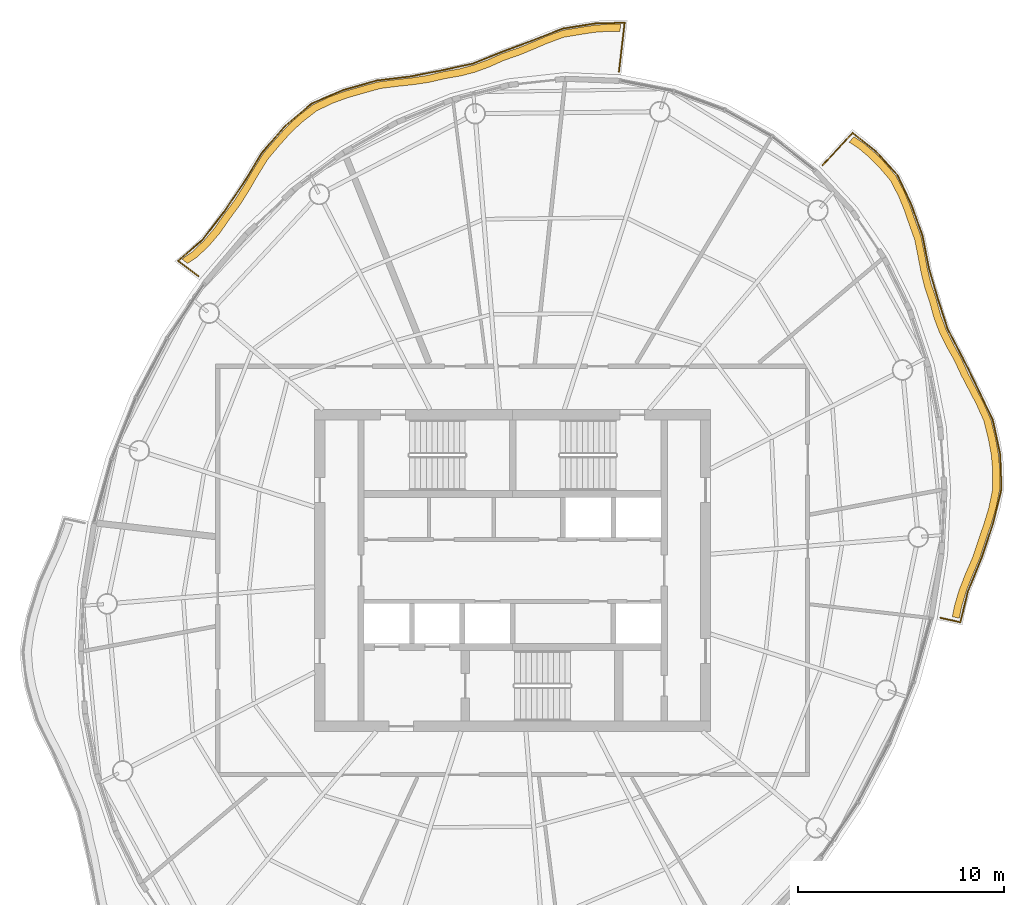
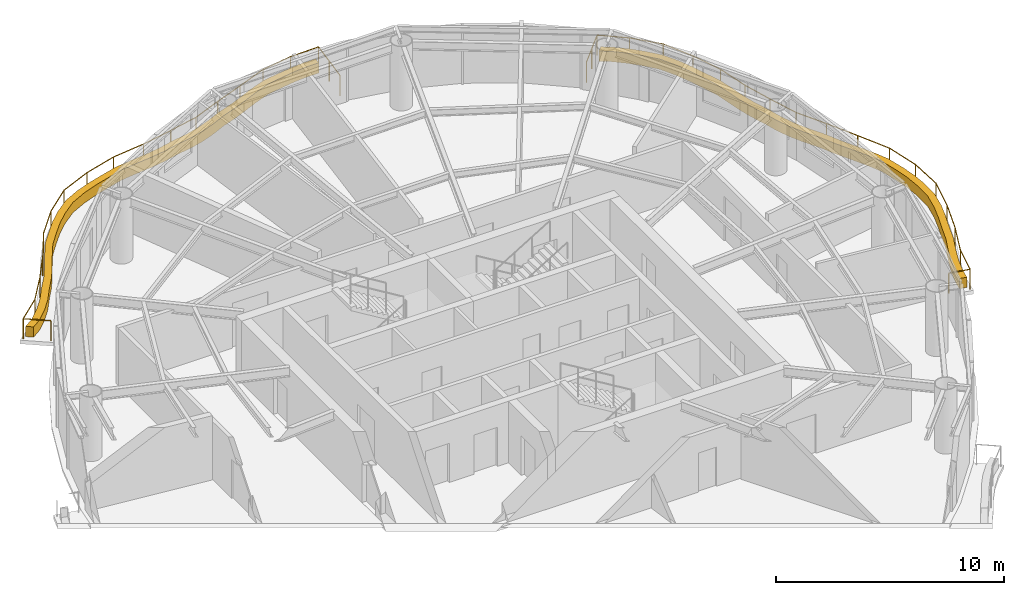
# One storey, part 13 of 13: 2 coverings, 2 railings.
"""IFC4 building model written with IfcOpenShell, lengths in metres."""

from ifc_helpers import new_model, si_unit, direction, frame, origin, origin_2d, place, context, subcontext, project, spatial, polyline, circle, outline, extrude, material, type_object, element, save


model = new_model("IFC4")

# Units and contexts
model_context = context("Model", 3, precision=1e-05, world=origin(), true_north=direction((0.0, 1.0)))
body_context = subcontext(model_context, "Body", "Model", "MODEL_VIEW")
ifc_project = project(units=[si_unit("LENGTHUNIT", "METRE"), si_unit("AREAUNIT", "SQUARE_METRE"), si_unit("VOLUMEUNIT", "CUBIC_METRE"), si_unit("PLANEANGLEUNIT", "RADIAN"), si_unit("MASSUNIT", "GRAM", prefix="KILO")], contexts=[model_context])

# Site, building, storey
site_placement = place(None, origin())
site = spatial("IfcSite", under=ifc_project, at=site_placement, CompositionType="ELEMENT")
building_placement = place(site_placement, origin())
building = spatial("IfcBuilding", under=site, at=building_placement, Name="Vermilion Reach Broadcast Tower", CompositionType="ELEMENT")
storey_placement = place(building_placement, frame((0.0, 0.0, 293.699951171875)))
storey = spatial("IfcBuildingStorey", under=building, at=storey_placement, Name="L73", CompositionType="ELEMENT", Elevation=293.699951171875)

# Coverings
ifc_material_1 = material(Name="Planting soil and greenery")
covering_type = type_object("IfcCoveringType", Name="Balcony PLANTER", PredefinedType="USERDEFINED", material=ifc_material_1)
placement = place(storey_placement, origin())
element("IfcCovering", 1, at=placement, inside=storey, type_object=covering_type, Name="PLANTER L73 group 1", ObjectType="PLANTER", PredefinedType="USERDEFINED", context=body_context, shape_type="SweptSolid", body=[
    extrude(outline(polyline([(-0.759033203125, 26.4873046875), (-1.332275390625, 26.4921875), (-2.01806640625, 26.442138671875), (-2.705810546875, 26.33837890625), (-3.54833984375, 26.199462890625), (-4.3720703125, 25.9033203125), (-5.042236328125, 25.615478515625), (-5.713623046875, 25.337890625), (-6.477783203125, 25.079833984375), (-7.224609375, 24.75146484375), (-7.8994140625, 24.50390625), (-8.591064453125, 24.321044921875), (-9.372802734375, 24.184326171875), (-10.170654296875, 23.99560546875), (-10.91796875, 23.883544921875), (-11.677734375, 23.802001953125), (-12.552490234375, 23.68603515625), (-13.418701171875, 23.44384765625), (-14.163818359375, 23.23046875), (-14.8818359375, 22.969482421875), (-15.696533203125, 22.57568359375), (-16.42578125, 22.01318359375), (-16.989990234375, 21.47900390625), (-17.5146484375, 20.89208984375), (-18.103515625, 20.197998046875), (-18.598388671875, 19.40673828125), (-19.01025390625, 18.6962890625), (-19.4423828125, 18.007080078125), (-19.9580078125, 17.312744140625), (-20.45361328125, 16.60009765625), (-20.97119140625, 15.990478515625), (-21.552001953125, 15.4345703125), (-22.041259765625, 15.100341796875), (-21.761962890625, 14.888916015625), (-21.284912109375, 15.208251953125), (-20.7041015625, 15.76416015625), (-20.1865234375, 16.373779296875), (-19.7041015625, 17.07177734375), (-19.202392578125, 17.75244140625), (-18.7705078125, 18.441650390625), (-18.3583984375, 19.152099609375), (-17.87890625, 19.929443359375), (-17.30615234375, 20.611083984375), (-16.78125, 21.197998046875), (-16.21728515625, 21.732177734375), (-15.50537109375, 22.282470703125), (-14.708984375, 22.6650390625), (-13.990966796875, 22.926025390625), (-13.245849609375, 23.139404296875), (-12.399658203125, 23.371337890625), (-11.545166015625, 23.47802734375), (-10.785400390625, 23.5595703125), (-10.038330078125, 23.671630859375), (-9.262451171875, 23.85205078125), (-8.50341796875, 23.982177734375), (-7.81201171875, 24.1650390625), (-7.13720703125, 24.41259765625), (-6.41455078125, 24.735595703125), (-5.675048828125, 24.989990234375), (-5.003662109375, 25.267578125), (-4.33349609375, 25.555419921875), (-3.535888671875, 25.849853515625), (-2.71923828125, 25.98876953125), (-2.031494140625, 26.09228515625), (-1.345703125, 26.142578125), (-0.79931640625, 26.1396484375), (-0.759033203125, 26.4873046875)])), origin(), (0.0, 0.0, 1.0), 0.550048828125),
])
element("IfcCovering", 2, at=placement, inside=storey, type_object=covering_type, Name="PLANTER L73 group 4", ObjectType="PLANTER", PredefinedType="USERDEFINED", context=body_context, shape_type="SweptSolid", body=[
    extrude(outline(polyline([(15.658447265625, -2.314697265625), (15.76904296875, -1.767822265625), (15.99853515625, -0.994873046875), (16.29638671875, -0.23291015625), (16.656005859375, 0.608642578125), (16.935302734375, 1.47216796875), (17.20361328125, 2.247314453125), (17.438232421875, 3.024169921875), (17.62255859375, 3.942626953125), (17.62548828125, 4.85546875), (17.560302734375, 5.6240234375), (17.4189453125, 6.38720703125), (17.201904296875, 7.279541015625), (16.8369140625, 8.112548828125), (16.472412109375, 8.80908203125), (16.1064453125, 9.50537109375), (15.74658203125, 10.290283203125), (15.339599609375, 11.019287109375), (15.01513671875, 11.685302734375), (14.755615234375, 12.372802734375), (14.540771484375, 13.15283203125), (14.287109375, 13.907470703125), (14.114501953125, 14.619140625), (13.976318359375, 15.347900390625), (13.800537109375, 16.198486328125), (13.509521484375, 16.996826171875), (13.2724609375, 17.6796875), (13.004150390625, 18.34130859375), (12.59228515625, 19.122802734375), (12.032958984375, 19.78173828125), (11.551025390625, 20.266845703125), (11.025390625, 20.71142578125), (10.549560546875, 21.0263671875), (10.311767578125, 20.76953125), (10.7685546875, 20.4736328125), (11.294189453125, 20.029052734375), (11.776123046875, 19.5439453125), (12.318359375, 18.905029296875), (12.71484375, 18.144287109375), (12.983154296875, 17.48291015625), (13.22021484375, 16.7998046875), (13.497802734375, 16.022705078125), (13.661865234375, 15.194091796875), (13.800048828125, 14.46533203125), (13.97265625, 13.75341796875), (14.216552734375, 13.0205078125), (14.42333984375, 12.2626953125), (14.68310546875, 11.5751953125), (15.00732421875, 10.9091796875), (15.407958984375, 10.201904296875), (15.762939453125, 9.438720703125), (16.12890625, 8.742431640625), (16.493408203125, 8.0458984375), (16.854736328125, 7.234130859375), (17.06982421875, 6.363037109375), (17.211181640625, 5.599853515625), (17.2763671875, 4.8310546875), (17.272705078125, 3.938720703125), (17.088623046875, 3.040771484375), (16.85400390625, 2.263916015625), (16.585693359375, 1.48876953125), (16.307861328125, 0.64501953125), (15.95068359375, -0.17724609375), (15.653076171875, -0.939208984375), (15.42333984375, -1.7119140625), (15.316650390625, -2.239990234375), (15.658447265625, -2.314697265625)])), origin(), (0.0, 0.0, 1.0), 0.550048828125),
])

# Railings
ifc_material_2 = material(Name="Stainless steel 316 balustrade", Category="steel")
railing_type = type_object("IfcRailingType", Name="Balcony guard 1100", PredefinedType="BALUSTRADE", material=ifc_material_2)
railing_1_placement = place(storey_placement, frame((-0.845947265625, 24.189453125, 0.0)))
element("IfcRailing", 3, at=railing_1_placement, inside=storey, type_object=railing_type, Name="Balcony guard L73 group 1", PredefinedType="BALUSTRADE", context=body_context, shape_type="SweptSolid", body=[
    extrude(circle(Radius=0.02490234375, at=origin_2d()), frame((0.0, 0.0, 1.0751953125), z_axis=(0.115707431832, 0.993283338337, 0.0), x_axis=(-0.993283338337, 0.115707431832, 0.0)), (0.0, 0.0, 1.0), 2.386474609375),
    extrude(circle(Radius=0.02490234375, at=origin_2d()), frame((0.276123046875, 2.370361328125, 1.0751953125), z_axis=(-0.999657300534, -0.026177881666, 0.0), x_axis=(0.026177881666, -0.999657300534, 0.0)), (0.0, 0.0, 1.0), 1.445556640625),
    extrude(circle(Radius=0.02490234375, at=origin_2d()), frame((-1.1689453125, 2.33251953125, 1.0751953125), z_axis=(-0.987778232825, -0.155865848593, 0.0), x_axis=(0.155865848593, -0.987778232825, 0.0)), (0.0, 0.0, 1.0), 1.555419921875),
    extrude(circle(Radius=0.02490234375, at=origin_2d()), frame((-2.705322265625, 2.090087890625, 1.0751953125), z_axis=(-0.931745405154, -0.363112241566, 0.0), x_axis=(0.363112241566, -0.931745405154, 0.0)), (0.0, 0.0, 1.0), 1.609619140625),
    extrude(circle(Radius=0.02490234375, at=origin_2d()), frame((-4.205078125, 1.505615234375, 1.0751953125), z_axis=(-0.937142184183, -0.348947741968, 0.0), x_axis=(0.348947741968, -0.937142184183, 0.0)), (0.0, 0.0, 1.0), 1.537841796875),
    extrude(circle(Radius=0.02490234375, at=origin_2d()), frame((-5.646240234375, 0.968994140625, 1.0751953125), z_axis=(-0.92712530699, -0.374751471163, 0.0), x_axis=(0.374751471163, -0.92712530699, 0.0)), (0.0, 0.0, 1.0), 1.53955078125),
    extrude(circle(Radius=0.02490234375, at=origin_2d()), frame((-7.073486328125, 0.39208984375, 1.0751953125), z_axis=(-0.977193836387, -0.212349255067, 0.0), x_axis=(0.212349255067, -0.977193836387, 0.0)), (0.0, 0.0, 1.0), 1.512939453125),
    extrude(circle(Radius=0.02490234375, at=origin_2d()), frame((-8.552001953125, 0.07080078125, 1.0751953125), z_axis=(-0.981462237715, -0.191655618074, 0.0), x_axis=(0.191655618074, -0.981462237715, 0.0)), (0.0, 0.0, 1.0), 1.57958984375),
    extrude(circle(Radius=0.02490234375, at=origin_2d()), frame((-10.102294921875, -0.23193359375, 1.0751953125), z_axis=(-0.992679633575, -0.120777254003, 0.0), x_axis=(0.120777254003, -0.992679633575, 0.0)), (0.0, 0.0, 1.0), 1.651611328125),
    extrude(circle(Radius=0.02490234375, at=origin_2d()), frame((-11.74169921875, -0.431396484375, 1.0751953125), z_axis=(-0.962081587834, -0.272761834483, 0.0), x_axis=(0.272761834483, -0.962081587834, 0.0)), (0.0, 0.0, 1.0), 1.67919921875),
    extrude(circle(Radius=0.02490234375, at=origin_2d()), frame((-13.357177734375, -0.889404296875, 1.0751953125), z_axis=(-0.919477073074, -0.393143627814, 0.0), x_axis=(0.393143627814, -0.919477073074, 0.0)), (0.0, 0.0, 1.0), 1.671630859375),
    extrude(circle(Radius=0.02490234375, at=origin_2d()), frame((-14.894287109375, -1.546630859375, 1.0751953125), z_axis=(-0.762923204596, -0.646489121245, 0.0), x_axis=(0.646489121245, -0.762923204596, 0.0)), (0.0, 0.0, 1.0), 1.700439453125),
    extrude(circle(Radius=0.02490234375, at=origin_2d()), frame((-16.191650390625, -2.64599609375, 1.0751953125), z_axis=(-0.656430781586, -0.754386259808, 0.0), x_axis=(0.754386259808, -0.656430781586, 0.0)), (0.0, 0.0, 1.0), 1.702392578125),
    extrude(circle(Radius=0.02490234375, at=origin_2d()), frame((-17.30908203125, -3.93017578125, 1.0751953125), z_axis=(-0.517575374894, -0.855637616812, 0.0), x_axis=(0.855637616812, -0.517575374894, 0.0)), (0.0, 0.0, 1.0), 1.758544921875),
    extrude(circle(Radius=0.02490234375, at=origin_2d()), frame((-18.21923828125, -5.434814453125, 1.0751953125), z_axis=(-0.565474748322, -0.824765608528, 0.0), x_axis=(0.824765608528, -0.565474748322, 0.0)), (0.0, 0.0, 1.0), 1.681640625),
    extrude(circle(Radius=0.02490234375, at=origin_2d()), frame((-19.170166015625, -6.82177734375, 1.0751953125), z_axis=(-0.608410061105, -0.793622830787, 0.0), x_axis=(0.793622830787, -0.608410061105, 0.0)), (0.0, 0.0, 1.0), 1.670166015625),
    extrude(circle(Radius=0.02490234375, at=origin_2d()), frame((-20.186279296875, -8.147216796875, 1.0751953125), z_axis=(-0.755509900573, -0.655137230004, 0.0), x_axis=(0.655137230004, -0.755509900573, 0.0)), (0.0, 0.0, 1.0), 1.57373046875),
    extrude(circle(Radius=0.02490234375, at=origin_2d()), frame((-21.375244140625, -9.17822265625, 1.0751953125), z_axis=(0.79735750561, -0.603507256168, 0.0), x_axis=(0.603507256168, 0.79735750561, 0.0)), (0.0, 0.0, 1.0), 1.234130859375),
    extrude(circle(Radius=0.02490234375, at=origin_2d()), origin(), (0.0, 0.0, 1.0), 1.050048828125),
    extrude(circle(Radius=0.02490234375, at=origin_2d()), frame((0.13818359375, 1.18505859375, 0.0)), (0.0, 0.0, 1.0), 1.050048828125),
    extrude(circle(Radius=0.02490234375, at=origin_2d()), frame((0.276123046875, 2.370361328125, 0.0)), (0.0, 0.0, 1.0), 1.050048828125),
    extrude(circle(Radius=0.02490234375, at=origin_2d()), frame((-1.1689453125, 2.33251953125, 0.0)), (0.0, 0.0, 1.0), 1.050048828125),
    extrude(circle(Radius=0.02490234375, at=origin_2d()), frame((-2.705322265625, 2.090087890625, 0.0)), (0.0, 0.0, 1.0), 1.050048828125),
    extrude(circle(Radius=0.02490234375, at=origin_2d()), frame((-4.205078125, 1.505615234375, 0.0)), (0.0, 0.0, 1.0), 1.050048828125),
    extrude(circle(Radius=0.02490234375, at=origin_2d()), frame((-5.646240234375, 0.968994140625, 0.0)), (0.0, 0.0, 1.0), 1.050048828125),
    extrude(circle(Radius=0.02490234375, at=origin_2d()), frame((-7.073486328125, 0.39208984375, 0.0)), (0.0, 0.0, 1.0), 1.050048828125),
    extrude(circle(Radius=0.02490234375, at=origin_2d()), frame((-8.552001953125, 0.07080078125, 0.0)), (0.0, 0.0, 1.0), 1.050048828125),
    extrude(circle(Radius=0.02490234375, at=origin_2d()), frame((-10.102294921875, -0.23193359375, 0.0)), (0.0, 0.0, 1.0), 1.050048828125),
    extrude(circle(Radius=0.02490234375, at=origin_2d()), frame((-11.74169921875, -0.431396484375, 0.0)), (0.0, 0.0, 1.0), 1.050048828125),
    extrude(circle(Radius=0.02490234375, at=origin_2d()), frame((-13.357177734375, -0.889404296875, 0.0)), (0.0, 0.0, 1.0), 1.050048828125),
    extrude(circle(Radius=0.02490234375, at=origin_2d()), frame((-14.894287109375, -1.546630859375, 0.0)), (0.0, 0.0, 1.0), 1.050048828125),
    extrude(circle(Radius=0.02490234375, at=origin_2d()), frame((-16.191650390625, -2.64599609375, 0.0)), (0.0, 0.0, 1.0), 1.050048828125),
    extrude(circle(Radius=0.02490234375, at=origin_2d()), frame((-17.30908203125, -3.93017578125, 0.0)), (0.0, 0.0, 1.0), 1.050048828125),
    extrude(circle(Radius=0.02490234375, at=origin_2d()), frame((-18.21923828125, -5.434814453125, 0.0)), (0.0, 0.0, 1.0), 1.050048828125),
    extrude(circle(Radius=0.02490234375, at=origin_2d()), frame((-19.170166015625, -6.82177734375, 0.0)), (0.0, 0.0, 1.0), 1.050048828125),
    extrude(circle(Radius=0.02490234375, at=origin_2d()), frame((-20.186279296875, -8.147216796875, 0.0)), (0.0, 0.0, 1.0), 1.050048828125),
    extrude(circle(Radius=0.02490234375, at=origin_2d()), frame((-21.375244140625, -9.17822265625, 0.0)), (0.0, 0.0, 1.0), 1.050048828125),
    extrude(circle(Radius=0.02490234375, at=origin_2d()), frame((-20.39111328125, -9.923095703125, 0.0)), (0.0, 0.0, 1.0), 1.050048828125),
])
railing_2_placement = place(storey_placement, frame((14.746337890625, -2.299560546875, 0.0)))
element("IfcRailing", 4, at=railing_2_placement, inside=storey, type_object=railing_type, Name="Balcony guard L73 group 4", PredefinedType="BALUSTRADE", context=body_context, shape_type="SweptSolid", body=[
    extrude(circle(Radius=0.02490234375, at=origin_2d()), frame((0.0, 0.0, 1.0751953125), z_axis=(0.976985697081, -0.21330482343, 0.0), x_axis=(0.21330482343, 0.976985697081, 0.0)), (0.0, 0.0, 1.0), 0.984375),
    extrude(circle(Radius=0.02490234375, at=origin_2d()), frame((0.961669921875, -0.2099609375, 1.0751953125), z_axis=(0.238968676308, 0.971027276519, 0.0), x_axis=(-0.971027276519, 0.238968676308, 0.0)), (0.0, 0.0, 1.0), 1.546875),
    extrude(circle(Radius=0.02490234375, at=origin_2d()), frame((1.331298828125, 1.2919921875, 1.0751953125), z_axis=(0.378671143363, 0.925531288063, 0.0), x_axis=(-0.925531288063, 0.378671143363, 0.0)), (0.0, 0.0, 1.0), 1.737548828125),
    extrude(circle(Radius=0.02490234375, at=origin_2d()), frame((1.9892578125, 2.900146484375, 1.0751953125), z_axis=(0.316312340252, 0.94865510245, 0.0), x_axis=(-0.94865510245, 0.316312340252, 0.0)), (0.0, 0.0, 1.0), 1.73193359375),
    extrude(circle(Radius=0.02490234375, at=origin_2d()), frame((2.537109375, 4.543212890625, 1.0751953125), z_axis=(0.239417492035, 0.970916713476, 0.0), x_axis=(-0.970916713476, 0.239417492035, 0.0)), (0.0, 0.0, 1.0), 1.7509765625),
    extrude(circle(Radius=0.02490234375, at=origin_2d()), frame((2.956298828125, 6.2431640625, 1.0751953125), z_axis=(-0.037043772494, 0.999313643917, 0.0), x_axis=(-0.999313643917, -0.037043772494, 0.0)), (0.0, 0.0, 1.0), 1.687255859375),
    extrude(circle(Radius=0.02490234375, at=origin_2d()), frame((2.893798828125, 7.92919921875, 1.0751953125), z_axis=(-0.211265997595, 0.977428605199, 0.0), x_axis=(-0.977428605199, -0.211265997595, 0.0)), (0.0, 0.0, 1.0), 1.69873046875),
    extrude(circle(Radius=0.02490234375, at=origin_2d()), frame((2.534912109375, 9.589599609375, 1.0751953125), z_axis=(-0.429716071644, 0.902964062281, 0.0), x_axis=(-0.902964062281, -0.429716071644, 0.0)), (0.0, 0.0, 1.0), 1.69921875),
    extrude(circle(Radius=0.02490234375, at=origin_2d()), frame((1.8046875, 11.1240234375, 1.0751953125), z_axis=(-0.439464201117, 0.898260104834, 0.0), x_axis=(-0.898260104834, -0.439464201117, 0.0)), (0.0, 0.0, 1.0), 1.654296875),
    extrude(circle(Radius=0.02490234375, at=origin_2d()), frame((1.07763671875, 12.610107421875, 1.0751953125), z_axis=(-0.463822239093, 0.885928287461, 0.0), x_axis=(-0.885928287461, -0.463822239093, 0.0)), (0.0, 0.0, 1.0), 1.580078125),
    extrude(circle(Radius=0.02490234375, at=origin_2d()), frame((0.3447265625, 14.010009765625, 1.0751953125), z_axis=(-0.307744689312, 0.951468972799, 0.0), x_axis=(-0.951468972799, -0.307744689312, 0.0)), (0.0, 0.0, 1.0), 1.5478515625),
    extrude(circle(Radius=0.02490234375, at=origin_2d()), frame((-0.131591796875, 15.482666015625, 1.0751953125), z_axis=(-0.279620650026, 0.960110562425, 0.0), x_axis=(-0.960110562425, -0.279620650026, 0.0)), (0.0, 0.0, 1.0), 1.5322265625),
    extrude(circle(Radius=0.02490234375, at=origin_2d()), frame((-0.56005859375, 16.953857421875, 1.0751953125), z_axis=(-0.195970848862, 0.980609721753, 0.0), x_axis=(-0.980609721753, -0.195970848862, 0.0)), (0.0, 0.0, 1.0), 1.61572265625),
    extrude(circle(Radius=0.02490234375, at=origin_2d()), frame((-0.876708984375, 18.538330078125, 1.0751953125), z_axis=(-0.336483397661, 0.941689398421, 0.0), x_axis=(-0.941689398421, -0.336483397661, 0.0)), (0.0, 0.0, 1.0), 1.578125),
    extrude(circle(Radius=0.02490234375, at=origin_2d()), frame((-1.40771484375, 20.0244140625, 1.0751953125), z_axis=(-0.427096348235, 0.904206121039, 0.0), x_axis=(-0.904206121039, -0.427096348235, 0.0)), (0.0, 0.0, 1.0), 1.60107421875),
    extrude(circle(Radius=0.02490234375, at=origin_2d()), frame((-2.091552734375, 21.47216796875, 1.0751953125), z_axis=(-0.67298579015, 0.739655410483, 0.0), x_axis=(-0.739655410483, -0.67298579015, 0.0)), (0.0, 0.0, 1.0), 1.552734375),
    extrude(circle(Radius=0.02490234375, at=origin_2d()), frame((-3.136474609375, 22.62060546875, 1.0751953125), z_axis=(-0.783079291683, 0.621921878484, 0.0), x_axis=(-0.621921878484, -0.783079291683, 0.0)), (0.0, 0.0, 1.0), 1.440673828125),
    extrude(circle(Radius=0.02490234375, at=origin_2d()), frame((-4.2646484375, 23.5166015625, 1.0751953125), z_axis=(-0.679348952167, -0.733815372686, 0.0), x_axis=(0.733815372686, -0.679348952167, 0.0)), (0.0, 0.0, 1.0), 2.142578125),
    extrude(circle(Radius=0.02490234375, at=origin_2d()), origin(), (0.0, 0.0, 1.0), 1.050048828125),
    extrude(circle(Radius=0.02490234375, at=origin_2d()), frame((0.961669921875, -0.2099609375, 0.0)), (0.0, 0.0, 1.0), 1.050048828125),
    extrude(circle(Radius=0.02490234375, at=origin_2d()), frame((1.331298828125, 1.2919921875, 0.0)), (0.0, 0.0, 1.0), 1.050048828125),
    extrude(circle(Radius=0.02490234375, at=origin_2d()), frame((1.9892578125, 2.900146484375, 0.0)), (0.0, 0.0, 1.0), 1.050048828125),
    extrude(circle(Radius=0.02490234375, at=origin_2d()), frame((2.537109375, 4.543212890625, 0.0)), (0.0, 0.0, 1.0), 1.050048828125),
    extrude(circle(Radius=0.02490234375, at=origin_2d()), frame((2.956298828125, 6.2431640625, 0.0)), (0.0, 0.0, 1.0), 1.050048828125),
    extrude(circle(Radius=0.02490234375, at=origin_2d()), frame((2.893798828125, 7.92919921875, 0.0)), (0.0, 0.0, 1.0), 1.050048828125),
    extrude(circle(Radius=0.02490234375, at=origin_2d()), frame((2.534912109375, 9.589599609375, 0.0)), (0.0, 0.0, 1.0), 1.050048828125),
    extrude(circle(Radius=0.02490234375, at=origin_2d()), frame((1.8046875, 11.1240234375, 0.0)), (0.0, 0.0, 1.0), 1.050048828125),
    extrude(circle(Radius=0.02490234375, at=origin_2d()), frame((1.07763671875, 12.610107421875, 0.0)), (0.0, 0.0, 1.0), 1.050048828125),
    extrude(circle(Radius=0.02490234375, at=origin_2d()), frame((0.3447265625, 14.010009765625, 0.0)), (0.0, 0.0, 1.0), 1.050048828125),
    extrude(circle(Radius=0.02490234375, at=origin_2d()), frame((-0.131591796875, 15.482666015625, 0.0)), (0.0, 0.0, 1.0), 1.050048828125),
    extrude(circle(Radius=0.02490234375, at=origin_2d()), frame((-0.56005859375, 16.953857421875, 0.0)), (0.0, 0.0, 1.0), 1.050048828125),
    extrude(circle(Radius=0.02490234375, at=origin_2d()), frame((-0.876708984375, 18.538330078125, 0.0)), (0.0, 0.0, 1.0), 1.050048828125),
    extrude(circle(Radius=0.02490234375, at=origin_2d()), frame((-1.40771484375, 20.0244140625, 0.0)), (0.0, 0.0, 1.0), 1.050048828125),
    extrude(circle(Radius=0.02490234375, at=origin_2d()), frame((-2.091552734375, 21.47216796875, 0.0)), (0.0, 0.0, 1.0), 1.050048828125),
    extrude(circle(Radius=0.02490234375, at=origin_2d()), frame((-3.136474609375, 22.62060546875, 0.0)), (0.0, 0.0, 1.0), 1.050048828125),
    extrude(circle(Radius=0.02490234375, at=origin_2d()), frame((-4.2646484375, 23.5166015625, 0.0)), (0.0, 0.0, 1.0), 1.050048828125),
    extrude(circle(Radius=0.02490234375, at=origin_2d()), frame((-4.992431640625, 22.73046875, 0.0)), (0.0, 0.0, 1.0), 1.050048828125),
    extrude(circle(Radius=0.02490234375, at=origin_2d()), frame((-5.72021484375, 21.9443359375, 0.0)), (0.0, 0.0, 1.0), 1.050048828125),
])

save(model, "model.ifc")
